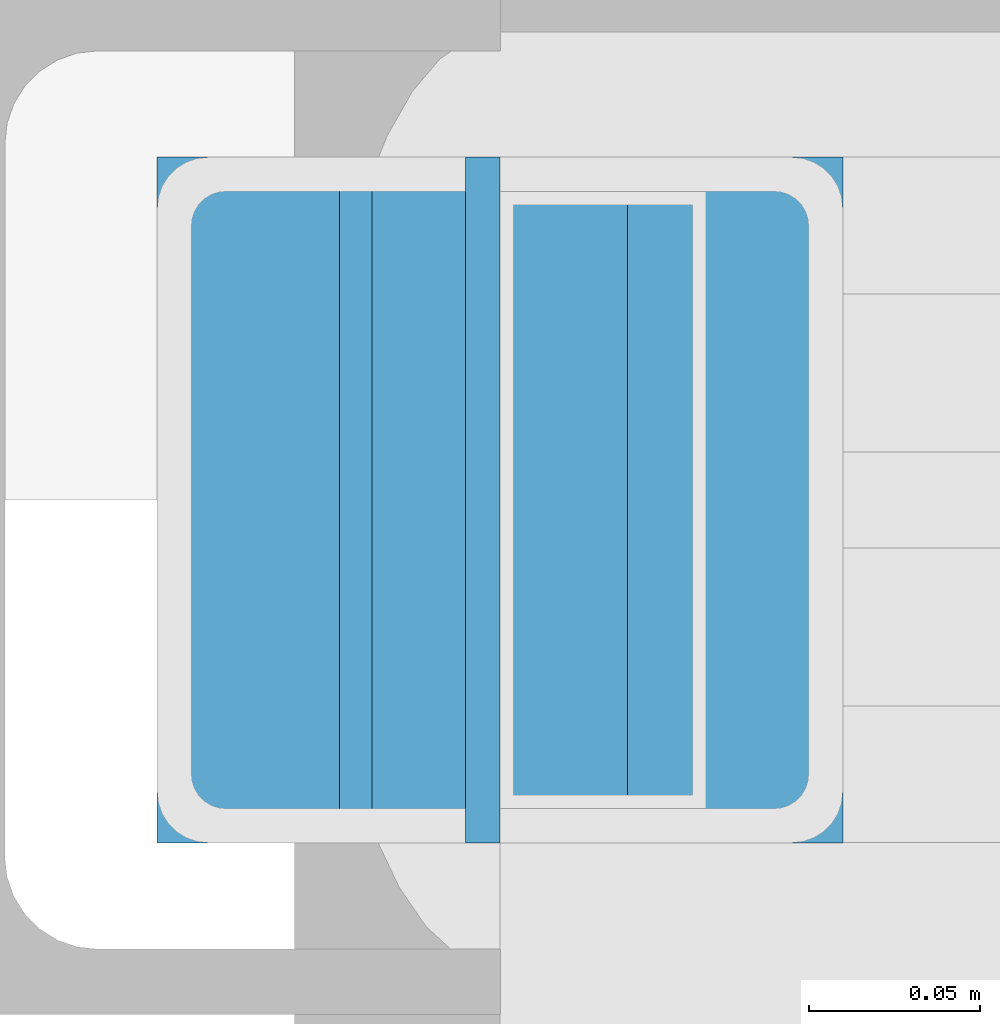
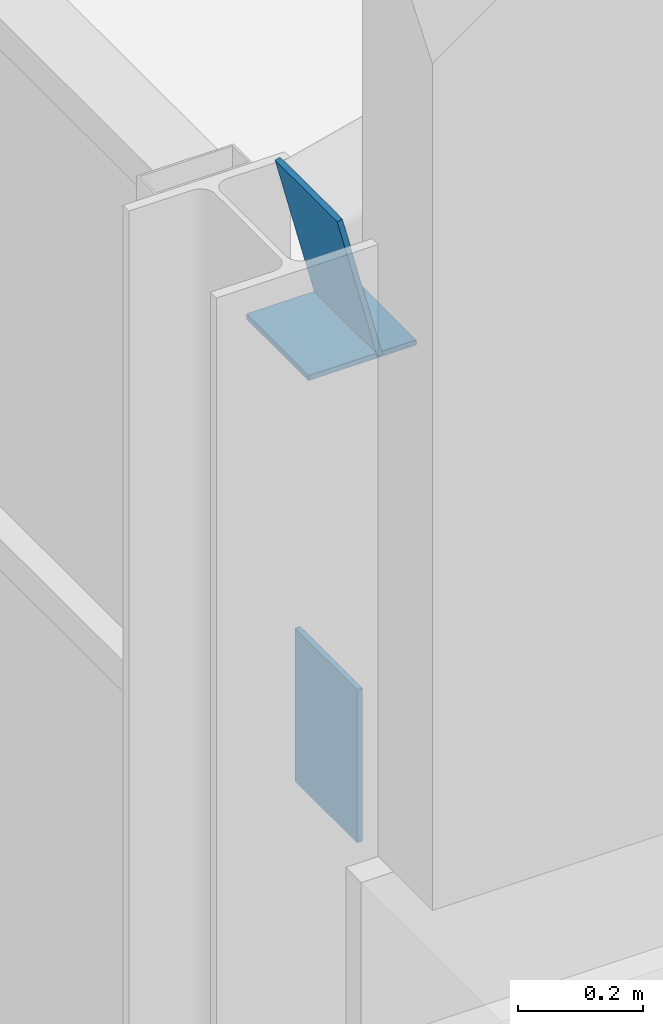
# One storey, part 121 of 149: 3 discrete accessories.
"""IFC4 building model written with IfcOpenShell, lengths in metres."""

import ifcopenshell
import ifcopenshell.guid

model = None  # the IFC model being written
_history = None  # IfcOwnerHistory: only IFC2X3 demands one
_inside = {}  # id of a spatial element -> (the spatial element, [elements in it])
_under = {}  # id of a project, library or spatial element -> (it, [spatial elements below it])
_declared = {}  # id of a project -> (the project, [libraries it declares])
_typed = {}  # id of a type object -> (the type object, [elements of that type])
_made_of = {}  # id of a material, layer set ... -> (it, [elements and type objects made of it])


def new_model(schema):
    """Start an empty IFC model of exactly this schema.

    Asked for "IFC4X3", IfcOpenShell would pick the latest addendum, in which some entities
    have other attributes; the version numbers below select the first issue.
    IFC2X3 requires an IfcOwnerHistory on every rooted entity: one is made here for all.
    """
    global model, _history
    if schema == "IFC4X3":
        model = ifcopenshell.file(schema_version=(4, 3, 0, 0))
    else:
        model = ifcopenshell.file(schema=schema)
    _inside.clear()
    _under.clear()
    _declared.clear()
    _typed.clear()
    _made_of.clear()
    _history = None
    if model.schema == "IFC2X3":
        org = make("IfcOrganization", Name="unknown")
        user = make(
            "IfcPersonAndOrganization",
            ThePerson=make("IfcPerson", FamilyName="unknown"),
            TheOrganization=org,
        )
        app = make(
            "IfcApplication",
            ApplicationDeveloper=org,
            Version="unknown",
            ApplicationFullName="unknown",
            ApplicationIdentifier="unknown",
        )
        _history = make(
            "IfcOwnerHistory",
            OwningUser=user,
            OwningApplication=app,
            ChangeAction="ADDED",
            CreationDate=0,
        )
    return model


def make(cls, **values):
    """One entity of the class cls with the attributes given. An attribute that is None is left unset."""
    return model.create_entity(
        cls, **{name: value for name, value in values.items() if value is not None}
    )


def rooted(cls, **values):
    """An entity with a GlobalId (a new one), such as an element, a storey or a relation."""
    return make(cls, GlobalId=ifcopenshell.guid.new(), OwnerHistory=_history, **values)


def si_unit(unit_type, name, prefix=None):
    """IfcSIUnit, for example si_unit("LENGTHUNIT", "METRE", prefix="MILLI")."""
    return make("IfcSIUnit", UnitType=unit_type, Prefix=prefix, Name=name)


def assignment(units):
    """IfcUnitAssignment: the units of a project."""
    return None if units is None else make("IfcUnitAssignment", Units=units)


def point(xyz):
    """IfcCartesianPoint."""
    return None if xyz is None else make("IfcCartesianPoint", Coordinates=xyz)


def direction(xyz):
    """IfcDirection."""
    return None if xyz is None else make("IfcDirection", DirectionRatios=xyz)


def frame(location, z_axis=None, x_axis=None):
    """IfcAxis2Placement3D, a coordinate frame: its origin and axes. An axis left out is left unset."""
    return make(
        "IfcAxis2Placement3D",
        Location=point(location),
        Axis=direction(z_axis),
        RefDirection=direction(x_axis),
    )


def frame_2d(location, x_axis=None):
    """IfcAxis2Placement2D, a coordinate frame in the plane: its origin and x axis."""
    return make(
        "IfcAxis2Placement2D", Location=point(location), RefDirection=direction(x_axis)
    )


def origin():
    """The frame at (0, 0, 0) with its axes left unset."""
    return frame((0.0, 0.0, 0.0))


def origin_2d():
    """The frame at (0, 0) in the plane with its x axis left unset."""
    return frame_2d((0.0, 0.0))


def place(relative_to, where):
    """IfcLocalPlacement: puts the frame where relative to a parent placement (None: the world)."""
    return make(
        "IfcLocalPlacement", PlacementRelTo=relative_to, RelativePlacement=where
    )


def context(
    kind, dimensions, precision=None, world=None, true_north=None, identifier=None
):
    """IfcGeometricRepresentationContext, for example the 3D "Model" context."""
    return make(
        "IfcGeometricRepresentationContext",
        ContextIdentifier=identifier,
        ContextType=kind,
        CoordinateSpaceDimension=dimensions,
        Precision=precision,
        WorldCoordinateSystem=world,
        TrueNorth=true_north,
    )


def subcontext(parent, identifier, kind, view, scale=None):
    """IfcGeometricRepresentationSubContext, for example "Body" below "Model"."""
    return make(
        "IfcGeometricRepresentationSubContext",
        ContextIdentifier=identifier,
        ContextType=kind,
        ParentContext=parent,
        TargetScale=scale,
        TargetView=view,
    )


def project(units=None, contexts=None):
    """IfcProject with its units and contexts."""
    return rooted(
        "IfcProject",
        Name="project",
        RepresentationContexts=contexts,
        UnitsInContext=assignment(units),
    )


def spatial(cls, under=None, at=None, **own):
    """A site, building, storey or space (cls), placed at a placement, below another one or the project."""
    s = rooted(cls, ObjectPlacement=at, **own)
    if under is not None:
        _under.setdefault(under.id(), (under, []))[1].append(s)
    return s


def profile(cls, at=None, kind="AREA", **sizes):
    """A parametric profile (cls). Its sizes go by their IFC names, for example OverallWidth=200.0."""
    return make(cls, ProfileType=kind, Position=at, **sizes)


def rectangle(**sizes):
    """IfcRectangleProfileDef."""
    return profile("IfcRectangleProfileDef", **sizes)


def extrude(swept, where, along, depth):
    """IfcExtrudedAreaSolid: the profile swept, set in the frame where, extruded along a direction by depth."""
    return make(
        "IfcExtrudedAreaSolid",
        SweptArea=swept,
        Position=where,
        ExtrudedDirection=direction(along),
        Depth=depth,
    )


def shape(context_of_items, identifier, shape_type, items):
    """IfcShapeRepresentation: the items that make up one representation, for example the "Body"."""
    return make(
        "IfcShapeRepresentation",
        ContextOfItems=context_of_items,
        RepresentationIdentifier=identifier,
        RepresentationType=shape_type,
        Items=items,
    )


def material(Name=None, Category=None):
    """IfcMaterial."""
    return make("IfcMaterial", Name=Name, Category=Category)


def material_profile(
    of_material, cross_section, Name=None, Category=None, Priority=None
):
    """IfcMaterialProfile: a cross section and its material."""
    return make(
        "IfcMaterialProfile",
        Name=Name,
        Material=of_material,
        Profile=cross_section,
        Priority=Priority,
        Category=Category,
    )


def profile_set(profiles, Name=None, composite=None):
    """IfcMaterialProfileSet."""
    return make(
        "IfcMaterialProfileSet",
        Name=Name,
        MaterialProfiles=profiles,
        CompositeProfile=composite,
    )


def made_of(thing, what):
    """Note that an element or type object is made of a material, layer set ...; save() writes the relation."""
    if what is not None:
        _made_of.setdefault(what.id(), (what, []))[1].append(thing)
    return thing


def type_object(cls, material=None, **own):
    """A type object (cls), such as IfcWallType, which elements share."""
    return made_of(rooted(cls, **own), material)


def element(
    cls,
    number,
    at=None,
    inside=None,
    cuts=None,
    type_object=None,
    material=None,
    context=None,
    identifier="Body",
    shape_type=None,
    held_by="IfcProductDefinitionShape",
    body=None,
    shapes=None,
    **own,
):
    """One element of the class cls, such as IfcWall. Its Tag is "e" and its number.

    at: its placement. inside: the storey or other place that contains it. cuts: it is an
    opening in that element (IfcRelVoidsElement). A single representation is given by context,
    identifier, shape_type and body (its items); several are given by shapes. held_by: the class
    of the entity that holds the representations. save() writes the other relations.
    """
    e = rooted(cls, Tag="e%d" % number, ObjectPlacement=at, **own)
    if body is not None:
        shapes = [shape(context, identifier, shape_type, body)]
    if shapes is not None:
        e.Representation = make(held_by, Representations=shapes)
    if inside is not None:
        _inside.setdefault(inside.id(), (inside, []))[1].append(e)
    if cuts is not None:
        rooted(
            "IfcRelVoidsElement", RelatingBuildingElement=cuts, RelatedOpeningElement=e
        )
    if type_object is not None:
        _typed.setdefault(type_object.id(), (type_object, []))[1].append(e)
    return made_of(e, material)


def aggregate(whole, parts):
    """IfcRelAggregates: a whole, such as a stair, and the parts it consists of."""
    return rooted("IfcRelAggregates", RelatingObject=whole, RelatedObjects=parts)


def save(model, path):
    """Write the relations noted so far, then the file.

    IfcRelAggregates (storeys below a building ...), IfcRelContainedInSpatialStructure (elements
    in a storey), IfcRelDefinesByType, IfcRelAssociatesMaterial and IfcRelDeclares: one each for
    every whole, place, type object, material and project.
    """
    for whole, parts in _under.values():
        aggregate(whole, parts)
    for where, things in _inside.values():
        rooted(
            "IfcRelContainedInSpatialStructure",
            RelatedElements=things,
            RelatingStructure=where,
        )
    for kind, things in _typed.values():
        rooted("IfcRelDefinesByType", RelatedObjects=things, RelatingType=kind)
    for what, things in _made_of.values():
        rooted("IfcRelAssociatesMaterial", RelatedObjects=things, RelatingMaterial=what)
    for by, libraries in _declared.values():
        rooted("IfcRelDeclares", RelatingContext=by, RelatedDefinitions=libraries)
    model.write(path)


model = new_model("IFC4")

# Units and contexts
model_context = context("Model", 3, precision=1e-05, world=origin(), true_north=direction((0.0, 1.0)))
body_context = subcontext(model_context, "Body", "Model", "MODEL_VIEW")
ifc_project = project(units=[si_unit("LENGTHUNIT", "METRE"), si_unit("AREAUNIT", "SQUARE_METRE"), si_unit("VOLUMEUNIT", "CUBIC_METRE"), si_unit("PLANEANGLEUNIT", "RADIAN"), si_unit("MASSUNIT", "GRAM", prefix="KILO")], contexts=[model_context])

# Site, building, storey
site_placement = place(None, origin())
site = spatial("IfcSite", under=ifc_project, at=site_placement, CompositionType="ELEMENT")
building_placement = place(site_placement, origin())
building = spatial("IfcBuilding", under=site, at=building_placement, Name="Kallimachos Central Library", CompositionType="ELEMENT")
storey_placement = place(building_placement, frame((0.0, 0.0, 9.89990234375)))
storey = spatial("IfcBuildingStorey", under=building, at=storey_placement, Name="L02", CompositionType="ELEMENT", Elevation=9.89990234375)

# Discrete accessories
ifc_material_1 = material(Name="Steel S355J2", Category="steel")
ifc_material_profile_1 = material_profile(ifc_material_1, rectangle(XDim=0.199951171875, YDim=0.199951171875, at=origin_2d()), Name="End cap plate 10, 200x200")
ifc_profile_set_1 = profile_set([ifc_material_profile_1], Name="Steel S355J2")
discrete_accessory_type_1 = type_object("IfcDiscreteAccessoryType", Name="End cap plate 10, 200x200", PredefinedType="BRACKET", material=ifc_profile_set_1)
discrete_accessory_1_placement = place(storey_placement, frame((138.14990234375, 87.0, 3.78759765625), z_axis=(0.0, 0.0, 1.0), x_axis=(1.0, 0.0, 0.0)))
element("IfcDiscreteAccessory", 1, at=discrete_accessory_1_placement, inside=storey, type_object=discrete_accessory_type_1, Name="End cap plate", PredefinedType="BRACKET", context=body_context, shape_type="SweptSolid", body=[
    extrude(rectangle(XDim=0.199951171875, YDim=0.199951171875, at=origin_2d()), origin(), (0.0, 0.0, 1.0), 0.010009765625),
])
ifc_material_2 = material(Name="Steel S355J2", Category="steel")
ifc_material_profile_2 = material_profile(ifc_material_2, rectangle(XDim=0.199951171875, YDim=0.300048828125, at=origin_2d()), Name="End cap plate 10, 200x300")
ifc_profile_set_2 = profile_set([ifc_material_profile_2], Name="Steel S355J2")
discrete_accessory_type_2 = type_object("IfcDiscreteAccessoryType", Name="End cap plate 10, 200x300", PredefinedType="BRACKET", material=ifc_profile_set_2)
discrete_accessory_2_placement = place(storey_placement, frame((138.139892578125, 87.0, 3.0), z_axis=(1.0, 0.0, 0.0), x_axis=(0.0, 1.0, 0.0)))
element("IfcDiscreteAccessory", 2, at=discrete_accessory_2_placement, inside=storey, type_object=discrete_accessory_type_2, Name="End cap plate", PredefinedType="BRACKET", context=body_context, shape_type="SweptSolid", body=[
    extrude(rectangle(XDim=0.199951171875, YDim=0.300048828125, at=origin_2d()), origin(), (0.0, 0.0, 1.0), 0.010009765625),
])
discrete_accessory_3_placement = place(storey_placement, frame((138.140380859375, 87.0, 3.93505859375), z_axis=(0.968663866044, 0.0, 0.248375350268), x_axis=(0.0, 1.0, 0.0)))
element("IfcDiscreteAccessory", 3, at=discrete_accessory_3_placement, inside=storey, type_object=discrete_accessory_type_2, Name="End cap plate", PredefinedType="BRACKET", context=body_context, shape_type="SweptSolid", body=[
    extrude(rectangle(XDim=0.199951171875, YDim=0.300048828125, at=origin_2d()), origin(), (0.0, 0.0, 1.0), 0.009765625),
])

save(model, "model.ifc")
